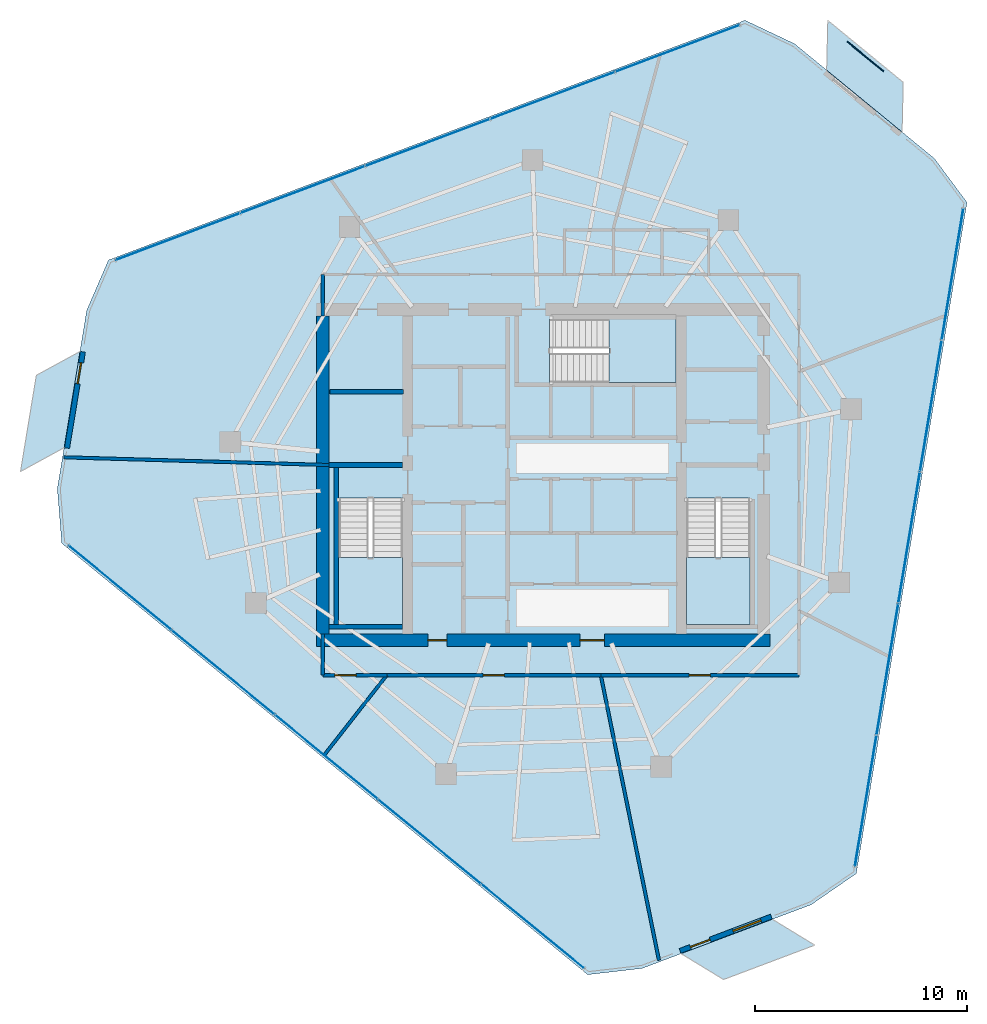
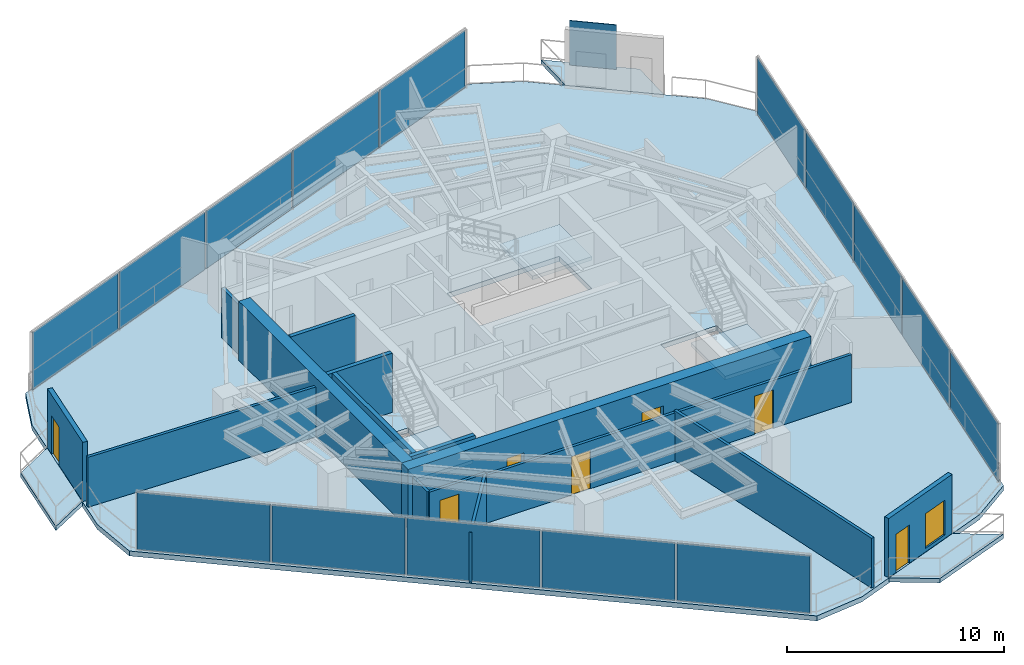
# One storey, part 14 of 19: 16 plates, 16 walls, 7 doors, 7 slabs, 1 window, 8 openings, 6 elements without a shape of their own.
"""IFC4 building model written with IfcOpenShell, lengths in metres."""

from ifc_helpers import new_model, si_unit, direction, frame, frame_2d, origin, origin_2d, place, context, subcontext, project, spatial, polyline, rectangle, outline, extrude, material, layer, layer_set, type_object, element, fill, aggregate, save


model = new_model("IFC4")

# Units and contexts
model_context = context("Model", 3, precision=1e-05, world=origin(), true_north=direction((0.0, 1.0)))
body_context = subcontext(model_context, "Body", "Model", "MODEL_VIEW")
ifc_project = project(units=[si_unit("LENGTHUNIT", "METRE"), si_unit("AREAUNIT", "SQUARE_METRE"), si_unit("VOLUMEUNIT", "CUBIC_METRE"), si_unit("PLANEANGLEUNIT", "RADIAN"), si_unit("MASSUNIT", "GRAM", prefix="KILO")], contexts=[model_context])

# Site, building, storey
site_placement = place(None, origin())
site = spatial("IfcSite", under=ifc_project, at=site_placement, CompositionType="ELEMENT")
building_placement = place(site_placement, origin())
building = spatial("IfcBuilding", under=site, at=building_placement, Name="Qarnah Convention Tower", CompositionType="ELEMENT")
storey_placement = place(building_placement, frame((0.0, 0.0, 143.699951171875)))
storey = spatial("IfcBuildingStorey", under=building, at=storey_placement, Name="L38", CompositionType="ELEMENT", Elevation=143.699951171875)

# Curtain wall, plates
ifc_material_1 = material(Name="Tempered Low-E dark glass", Category="glass")
ifc_layer_1 = layer(ifc_material_1, 0.172119140625)
ifc_layer_set_1 = layer_set([ifc_layer_1], Name="Tempered Low-E dark glass")
curtain_wall_type = type_object("IfcCurtainWallType", Name="CWS-03", PredefinedType="NOTDEFINED", material=ifc_layer_set_1)
curtain_wall_1_placement = place(storey_placement, origin())
curtain_wall_1 = element("IfcCurtainWall", 1, at=curtain_wall_1_placement, inside=storey, type_object=curtain_wall_type, Name="L38 unitised curtain wall CW-L38-F1", PredefinedType="NOTDEFINED")
ifc_layer_2 = layer(ifc_material_1, 0.031982421875)
ifc_layer_set_2 = layer_set([ifc_layer_2], Name="Tempered Low-E dark glass")
plate_type_1 = type_object("IfcPlateType", Name="PNL-T3", PredefinedType="CURTAIN_PANEL", material=ifc_layer_set_2)
plate_1_placement = place(storey_placement, frame((19.958984375, 37.630615234375, 0.0400390625), z_axis=(0.0, 0.0, 1.0), x_axis=(0.935807265092, 0.352512074404, 0.0)))
plate_1 = element("IfcPlate", 2, at=plate_1_placement, type_object=plate_type_1, Name="CW-L38-F1 curtain panel 1.1", PredefinedType="CURTAIN_PANEL", context=body_context, shape_type="SweptSolid", body=[
    extrude(rectangle(XDim=6.216064453125, YDim=0.031982421875, at=origin_2d()), origin(), (0.0, 0.0, 1.0), 3.239990234375),
])
plate_2_placement = place(storey_placement, frame((25.8505859375, 39.85009765625, 0.0400390625), z_axis=(0.0, 0.0, 1.0), x_axis=(0.935807265092, 0.352512074404, 0.0)))
plate_2 = element("IfcPlate", 3, at=plate_2_placement, type_object=plate_type_1, Name="CW-L38-F1 curtain panel 2.1", PredefinedType="CURTAIN_PANEL", context=body_context, shape_type="SweptSolid", body=[
    extrude(rectangle(XDim=6.216064453125, YDim=0.031982421875, at=origin_2d()), origin(), (0.0, 0.0, 1.0), 3.239990234375),
])
plate_3_placement = place(storey_placement, frame((31.742431640625, 42.069580078125, 0.0400390625), z_axis=(0.0, 0.0, 1.0), x_axis=(0.935807265092, 0.352512074404, 0.0)))
plate_3 = element("IfcPlate", 4, at=plate_3_placement, type_object=plate_type_1, Name="CW-L38-F1 curtain panel 3.1", PredefinedType="CURTAIN_PANEL", context=body_context, shape_type="SweptSolid", body=[
    extrude(rectangle(XDim=6.216064453125, YDim=0.031982421875, at=origin_2d()), origin(), (0.0, 0.0, 1.0), 3.239990234375),
])
plate_4_placement = place(storey_placement, frame((37.63427734375, 44.288818359375, 0.0400390625), z_axis=(0.0, 0.0, 1.0), x_axis=(0.935807265092, 0.352512074404, 0.0)))
plate_4 = element("IfcPlate", 5, at=plate_4_placement, type_object=plate_type_1, Name="CW-L38-F1 curtain panel 4.1", PredefinedType="CURTAIN_PANEL", context=body_context, shape_type="SweptSolid", body=[
    extrude(rectangle(XDim=6.216064453125, YDim=0.031982421875, at=origin_2d()), origin(), (0.0, 0.0, 1.0), 3.239990234375),
])
plate_5_placement = place(storey_placement, frame((43.526123046875, 46.50830078125, 0.0400390625), z_axis=(0.0, 0.0, 1.0), x_axis=(0.935807265092, 0.352512074404, 0.0)))
plate_5 = element("IfcPlate", 6, at=plate_5_placement, type_object=plate_type_1, Name="CW-L38-F1 curtain panel 5.1", PredefinedType="CURTAIN_PANEL", context=body_context, shape_type="SweptSolid", body=[
    extrude(rectangle(XDim=6.216064453125, YDim=0.031982421875, at=origin_2d()), origin(), (0.0, 0.0, 1.0), 3.239990234375),
])
aggregate(curtain_wall_1, [plate_1, plate_2, plate_3, plate_4, plate_5])

curtain_wall_2_placement = place(storey_placement, origin())
curtain_wall_2 = element("IfcCurtainWall", 7, at=curtain_wall_2_placement, inside=storey, type_object=curtain_wall_type, Name="L38 unitised curtain wall CW-L38-F2", PredefinedType="NOTDEFINED")
plate_6_placement = place(storey_placement, frame((36.701171875, 5.103515625, 0.0400390625), z_axis=(0.0, 0.0, 1.0), x_axis=(-0.773174020176, 0.634193925014, 0.0)))
plate_6 = element("IfcPlate", 8, at=plate_6_placement, type_object=plate_type_1, Name="CW-L38-F2 curtain panel 1.1", PredefinedType="CURTAIN_PANEL", context=body_context, shape_type="SweptSolid", body=[
    extrude(rectangle(XDim=6.2158203125, YDim=0.031982421875, at=origin_2d()), origin(), (0.0, 0.0, 1.0), 3.239990234375),
])
plate_7_placement = place(storey_placement, frame((31.833251953125, 9.09619140625, 0.0400390625), z_axis=(0.0, 0.0, 1.0), x_axis=(-0.773174020176, 0.634193925014, 0.0)))
plate_7 = element("IfcPlate", 9, at=plate_7_placement, type_object=plate_type_1, Name="CW-L38-F2 curtain panel 2.1", PredefinedType="CURTAIN_PANEL", context=body_context, shape_type="SweptSolid", body=[
    extrude(rectangle(XDim=6.2158203125, YDim=0.031982421875, at=origin_2d()), origin(), (0.0, 0.0, 1.0), 3.239990234375),
])
plate_8_placement = place(storey_placement, frame((26.965576171875, 13.089111328125, 0.0400390625), z_axis=(0.0, 0.0, 1.0), x_axis=(-0.773174020176, 0.634193925014, 0.0)))
plate_8 = element("IfcPlate", 10, at=plate_8_placement, type_object=plate_type_1, Name="CW-L38-F2 curtain panel 3.1", PredefinedType="CURTAIN_PANEL", context=body_context, shape_type="SweptSolid", body=[
    extrude(rectangle(XDim=6.2158203125, YDim=0.031982421875, at=origin_2d()), origin(), (0.0, 0.0, 1.0), 3.239990234375),
])
plate_9_placement = place(storey_placement, frame((22.09765625, 17.081787109375, 0.0400390625), z_axis=(0.0, 0.0, 1.0), x_axis=(-0.773174020176, 0.634193925014, 0.0)))
plate_9 = element("IfcPlate", 11, at=plate_9_placement, type_object=plate_type_1, Name="CW-L38-F2 curtain panel 4.1", PredefinedType="CURTAIN_PANEL", context=body_context, shape_type="SweptSolid", body=[
    extrude(rectangle(XDim=6.2158203125, YDim=0.031982421875, at=origin_2d()), origin(), (0.0, 0.0, 1.0), 3.239990234375),
])
plate_10_placement = place(storey_placement, frame((17.22998046875, 21.07470703125, 0.0400390625), z_axis=(0.0, 0.0, 1.0), x_axis=(-0.773174020176, 0.634193925014, 0.0)))
plate_10 = element("IfcPlate", 12, at=plate_10_placement, type_object=plate_type_1, Name="CW-L38-F2 curtain panel 5.1", PredefinedType="CURTAIN_PANEL", context=body_context, shape_type="SweptSolid", body=[
    extrude(rectangle(XDim=6.2158203125, YDim=0.031982421875, at=origin_2d()), origin(), (0.0, 0.0, 1.0), 3.239990234375),
])
aggregate(curtain_wall_2, [plate_6, plate_7, plate_8, plate_9, plate_10])

curtain_wall_3_placement = place(storey_placement, origin())
curtain_wall_3 = element("IfcCurtainWall", 13, at=curtain_wall_3_placement, inside=storey, type_object=curtain_wall_type, Name="L38 unitised curtain wall CW-L38-F3", PredefinedType="NOTDEFINED")
plate_11_placement = place(storey_placement, frame((56.5, 35.8662109375, 0.0400390625), z_axis=(0.0, 0.0, 1.0), x_axis=(-0.162652354026, -0.986683440486, 0.0)))
plate_11 = element("IfcPlate", 14, at=plate_11_placement, type_object=plate_type_1, Name="CW-L38-F3 curtain panel 1.1", PredefinedType="CURTAIN_PANEL", context=body_context, shape_type="SweptSolid", body=[
    extrude(rectangle(XDim=6.215576171875, YDim=0.031982421875, at=origin_2d()), origin(), (0.0, 0.0, 1.0), 3.239990234375),
])
plate_12_placement = place(storey_placement, frame((55.47607421875, 29.654296875, 0.0400390625), z_axis=(0.0, 0.0, 1.0), x_axis=(-0.162652354026, -0.986683440486, 0.0)))
plate_12 = element("IfcPlate", 15, at=plate_12_placement, type_object=plate_type_1, Name="CW-L38-F3 curtain panel 2.1", PredefinedType="CURTAIN_PANEL", context=body_context, shape_type="SweptSolid", body=[
    extrude(rectangle(XDim=6.215576171875, YDim=0.031982421875, at=origin_2d()), origin(), (0.0, 0.0, 1.0), 3.239990234375),
])
plate_13_placement = place(storey_placement, frame((54.451904296875, 23.4423828125, 0.0400390625), z_axis=(0.0, 0.0, 1.0), x_axis=(-0.162652354026, -0.986683440486, 0.0)))
plate_13 = element("IfcPlate", 16, at=plate_13_placement, type_object=plate_type_1, Name="CW-L38-F3 curtain panel 3.1", PredefinedType="CURTAIN_PANEL", context=body_context, shape_type="SweptSolid", body=[
    extrude(rectangle(XDim=6.215576171875, YDim=0.031982421875, at=origin_2d()), origin(), (0.0, 0.0, 1.0), 3.239990234375),
])
plate_14_placement = place(storey_placement, frame((53.427978515625, 17.230712890625, 0.0400390625), z_axis=(0.0, 0.0, 1.0), x_axis=(-0.162652354026, -0.986683440486, 0.0)))
plate_14 = element("IfcPlate", 17, at=plate_14_placement, type_object=plate_type_1, Name="CW-L38-F3 curtain panel 4.1", PredefinedType="CURTAIN_PANEL", context=body_context, shape_type="SweptSolid", body=[
    extrude(rectangle(XDim=6.215576171875, YDim=0.031982421875, at=origin_2d()), origin(), (0.0, 0.0, 1.0), 3.239990234375),
])
plate_15_placement = place(storey_placement, frame((52.404052734375, 11.018798828125, 0.0400390625), z_axis=(0.0, 0.0, 1.0), x_axis=(-0.162652354026, -0.986683440486, 0.0)))
plate_15 = element("IfcPlate", 18, at=plate_15_placement, type_object=plate_type_1, Name="CW-L38-F3 curtain panel 5.1", PredefinedType="CURTAIN_PANEL", context=body_context, shape_type="SweptSolid", body=[
    extrude(rectangle(XDim=6.215576171875, YDim=0.031982421875, at=origin_2d()), origin(), (0.0, 0.0, 1.0), 3.239990234375),
])
aggregate(curtain_wall_3, [plate_11, plate_12, plate_13, plate_14, plate_15])

# Plate
ifc_material_2 = material(Name="Black anodised aluminium", Category="aluminium")
ifc_layer_3 = layer(ifc_material_2, 0.044921875)
ifc_layer_set_3 = layer_set([ifc_layer_3], Name="Black anodised aluminium")
plate_type_2 = type_object("IfcPlateType", Name="SCR-BAL-18", PredefinedType="USERDEFINED", material=ifc_layer_set_3)
plate_16_placement = place(storey_placement, frame((52.387939453125, 46.12890625, 0.0), z_axis=(0.0, 0.0, 1.0), x_axis=(0.773045883362, -0.634350110126, 0.0)))
element("IfcPlate", 19, at=plate_16_placement, inside=storey, type_object=plate_type_2, Name="L38 perforated desert solar screen BAL-L38-C1", ObjectType="SCREEN", PredefinedType="USERDEFINED", context=body_context, shape_type="SweptSolid", body=[
    extrude(rectangle(XDim=2.199951171875, YDim=0.044921875, at=origin_2d()), origin(), (0.0, 0.0, 1.0), 2.5),
])

# Slabs
ifc_material_3 = material(Name="Concrete C45/55", Category="concrete")
ifc_layer_4 = layer(ifc_material_3, 0.239990234375)
ifc_layer_set_4 = layer_set([ifc_layer_4], Name="Concrete C45/55")
slab_type_1 = type_object("IfcSlabType", Name="SLB-BAL-240", PredefinedType="USERDEFINED", material=ifc_layer_set_4)
slab_1_placement = place(storey_placement, frame((0.0, 0.0, -0.239990234375)))
element("IfcSlab", 20, at=slab_1_placement, inside=storey, type_object=slab_type_1, Name="L38 cantilevered balcony slab BAL-L38-C1", ObjectType="BALCONY", PredefinedType="USERDEFINED", context=body_context, shape_type="SweptSolid", body=[
    extrude(outline(polyline([(50.615966796875, 47.827880859375), (54.172119140625, 44.909912109375), (54.116943359375, 42.56494140625), (50.56005859375, 45.48291015625), (50.615966796875, 47.827880859375)])), origin(), (0.0, 0.0, 1.0), 0.239990234375),
])
slab_2_placement = place(storey_placement, frame((0.0, 0.0, -0.239990234375)))
element("IfcSlab", 21, at=slab_2_placement, inside=storey, type_object=slab_type_1, Name="L38 cantilevered balcony slab BAL-L38-C2", ObjectType="BALCONY", PredefinedType="USERDEFINED", context=body_context, shape_type="SweptSolid", body=[
    extrude(outline(polyline([(12.5419921875, 26.553955078125), (13.2900390625, 31.093017578125), (15.34912109375, 32.217041015625), (14.60107421875, 27.678955078125), (12.5419921875, 26.553955078125)])), origin(), (0.0, 0.0, 1.0), 0.239990234375),
])
slab_3_placement = place(storey_placement, frame((0.0, 0.0, -0.239990234375)))
element("IfcSlab", 22, at=slab_3_placement, inside=storey, type_object=slab_type_1, Name="L38 cantilevered balcony slab BAL-L38-C3", ObjectType="BALCONY", PredefinedType="USERDEFINED", context=body_context, shape_type="SweptSolid", body=[
    extrude(outline(polyline([(50.001953125, 4.218017578125), (45.697998046875, 2.596923828125), (43.693115234375, 3.818115234375), (47.9990234375, 5.43896484375), (50.001953125, 4.218017578125)])), origin(), (0.0, 0.0, 1.0), 0.239990234375),
])

# Stair, slab
ifc_material_4 = material(Name="Concrete C50/60", Category="concrete")
stair_type = type_object("IfcStairType", Name="STR-OFF", PredefinedType="HALF_TURN_STAIR", material=ifc_material_4)
stair_1_placement = place(storey_placement, origin())
stair_1 = element("IfcStair", 23, at=stair_1_placement, inside=storey, type_object=stair_type, Name="L38 Core exit stair ST-1", PredefinedType="HALF_TURN_STAIR")
ifc_layer_5 = layer(ifc_material_4, 0.199951171875)
ifc_layer_set_5 = layer_set([ifc_layer_5], Name="Concrete C50/60")
slab_type_2 = type_object("IfcSlabType", Name="SLB-LANDING-200", PredefinedType="LANDING", material=ifc_layer_set_5)
slab_4_placement = place(storey_placement, frame((0.0, 0.0, 1.60009765625)))
slab_4 = element("IfcSlab", 24, at=slab_4_placement, type_object=slab_type_2, Name="ST-1 landing 1", PredefinedType="LANDING", context=body_context, shape_type="SweptSolid", body=[
    extrude(outline(polyline([(27.550048828125, 22.5), (27.550048828125, 19.35009765625), (30.550048828125, 19.35009765625), (30.550048828125, 22.5), (27.550048828125, 22.5)])), origin(), (0.0, 0.0, 1.0), 0.199951171875),
])
aggregate(stair_1, [slab_4])

stair_2_placement = place(storey_placement, origin())
stair_2 = element("IfcStair", 25, at=stair_2_placement, inside=storey, type_object=stair_type, Name="L38 Core exit stair ST-2", PredefinedType="HALF_TURN_STAIR")
slab_5_placement = place(storey_placement, frame((0.0, 0.0, 1.60009765625)))
slab_5 = element("IfcSlab", 26, at=slab_5_placement, type_object=slab_type_2, Name="ST-2 landing 1", PredefinedType="LANDING", context=body_context, shape_type="SweptSolid", body=[
    extrude(outline(polyline([(43.949951171875, 22.5), (43.949951171875, 19.35009765625), (46.949951171875, 19.35009765625), (46.949951171875, 22.5), (43.949951171875, 22.5)])), origin(), (0.0, 0.0, 1.0), 0.199951171875),
])
aggregate(stair_2, [slab_5])

stair_3_placement = place(storey_placement, origin())
stair_3 = element("IfcStair", 27, at=stair_3_placement, inside=storey, type_object=stair_type, Name="L38 Core exit stair ST-3", PredefinedType="HALF_TURN_STAIR")
slab_6_placement = place(storey_placement, frame((0.0, 0.0, 1.60009765625)))
slab_6 = element("IfcSlab", 28, at=slab_6_placement, type_object=slab_type_2, Name="ST-3 landing 1", PredefinedType="LANDING", context=body_context, shape_type="SweptSolid", body=[
    extrude(outline(polyline([(40.300048828125, 30.75), (43.449951171875, 30.75), (43.449951171875, 33.75), (40.300048828125, 33.75), (40.300048828125, 30.75)])), origin(), (0.0, 0.0, 1.0), 0.199951171875),
])
aggregate(stair_3, [slab_6])

# Slab
ifc_layer_6 = layer(ifc_material_3, 0.280029296875)
ifc_layer_set_6 = layer_set([ifc_layer_6], Name="Concrete C45/55")
slab_type_3 = type_object("IfcSlabType", Name="SLB-TWR-280", PredefinedType="FLOOR", material=ifc_layer_set_6)
slab_7_placement = place(storey_placement, frame((0.0, 0.0, -0.280029296875)))
element("IfcSlab", 29, at=slab_7_placement, inside=storey, type_object=slab_type_3, Name="L38 structural floor slab", PredefinedType="FLOOR", context=body_context, shape_type="SweptSolid", body=[
    extrude(outline(polyline([(46.7099609375, 47.8359375), (16.68994140625, 36.528076171875), (15.6640625, 34.153076171875), (14.279052734375, 25.74609375), (14.488037109375, 23.16796875), (39.291015625, 2.823974609375), (41.860107421875, 3.123046875), (49.833984375, 6.1259765625), (51.9619140625, 7.596923828125), (57.178955078125, 39.248046875), (55.635986328125, 41.323974609375), (49.048095703125, 46.72802734375), (46.7099609375, 47.8359375)]), holes=[polyline([(27.550048828125, 25.300048828125), (27.550048828125, 19.35009765625), (30.550048828125, 19.35009765625), (30.550048828125, 25.300048828125), (27.550048828125, 25.300048828125)]), polyline([(43.949951171875, 25.300048828125), (43.949951171875, 19.35009765625), (46.949951171875, 19.35009765625), (46.949951171875, 25.300048828125), (43.949951171875, 25.300048828125)]), polyline([(37.5, 30.75), (43.449951171875, 30.75), (43.449951171875, 33.75), (37.5, 33.75), (37.5, 30.75)])]), origin(), (0.0, 0.0, 1.0), 0.280029296875),
])

# Wall, openings, doors
ifc_material_5 = material(Name="Concrete C60/75", Category="concrete")
ifc_layer_7 = layer(ifc_material_5, 0.60009765625)
ifc_layer_set_7 = layer_set([ifc_layer_7], Name="Concrete C60/75")
wall_type_1 = type_object("IfcWallType", Name="WL-CORE-600", PredefinedType="SHEAR", material=ifc_layer_set_7)
wall_1_placement = place(storey_placement, frame((26.5, 18.60009765625, 0.0), z_axis=(0.0, 0.0, 1.0), x_axis=(1.0, 0.0, 0.0)))
wall_1 = element("IfcWall", 30, at=wall_1_placement, inside=storey, type_object=wall_type_1, Name="L38 core south shear wall", PredefinedType="SHEAR", context=body_context, shape_type="SweptSolid", body=[
    extrude(rectangle(XDim=21.39990234375, YDim=0.60009765625, at=frame_2d((10.699951171875, 0.0))), origin(), (0.0, 0.0, 1.0), 3.320068359375),
])
opening_1_placement = place(wall_1_placement, frame((12.425048828125, 0.0, 0.0)))
opening_1 = element("IfcOpeningElement", 31, at=opening_1_placement, cuts=wall_1, Name="Opening D-3807", PredefinedType="OPENING", context=body_context, shape_type="SweptSolid", body=[
    extrude(rectangle(XDim=1.14990234375, YDim=2.14990234375, at=frame_2d((0.574951171875, 1.074951171875))), frame((0.0, 0.31005859375, 0.0), z_axis=(0.0, -1.0, 0.0), x_axis=(1.0, 0.0, 0.0)), (0.0, 0.0, 1.0), 0.6201171875),
])
opening_2_placement = place(wall_1_placement, frame((5.25, 0.0, 0.0)))
opening_2 = element("IfcOpeningElement", 32, at=opening_2_placement, cuts=wall_1, Name="Opening D-3813", PredefinedType="OPENING", context=body_context, shape_type="SweptSolid", body=[
    extrude(rectangle(XDim=0.89990234375, YDim=2.10009765625, at=frame_2d((0.449951171875, 1.050048828125))), frame((0.0, 0.31005859375, 0.0), z_axis=(0.0, -1.0, 0.0), x_axis=(1.0, 0.0, 0.0)), (0.0, 0.0, 1.0), 0.6201171875),
])
ifc_material_6 = material(Name="Structural steel S355JR", Category="steel")
door_type_1 = type_object("IfcDoorType", Name="DT-LOBBY-1150", OperationType="NOTDEFINED", PredefinedType="DOOR", material=ifc_material_6)
door_1_placement = place(opening_1_placement, origin())
door_1 = element("IfcDoor", 33, at=door_1_placement, inside=storey, type_object=door_type_1, Name="Door D-3807", OperationType="SINGLE_SWING_RIGHT", OverallHeight=2.14990234375, OverallWidth=1.14990234375, PredefinedType="DOOR", context=body_context, shape_type="SweptSolid", body=[
    extrude(rectangle(XDim=1.14990234375, YDim=2.14990234375, at=frame_2d((0.574951171875, 1.074951171875))), frame((0.0, 0.02490234375, 0.0), z_axis=(0.0, -1.0, 0.0), x_axis=(1.0, 0.0, 0.0)), (0.0, 0.0, 1.0), 0.050048828125),
])
fill(opening_1, door_1)
door_type_2 = type_object("IfcDoorType", Name="DT-RISER-900", OperationType="NOTDEFINED", PredefinedType="DOOR", material=ifc_material_6)
door_2_placement = place(opening_2_placement, origin())
door_2 = element("IfcDoor", 34, at=door_2_placement, inside=storey, type_object=door_type_2, Name="Door D-3813", OperationType="SINGLE_SWING_RIGHT", OverallHeight=2.10009765625, OverallWidth=0.89990234375, PredefinedType="DOOR", context=body_context, shape_type="SweptSolid", body=[
    extrude(rectangle(XDim=0.89990234375, YDim=2.10009765625, at=frame_2d((0.449951171875, 1.050048828125))), frame((0.0, 0.02490234375, 0.0), z_axis=(0.0, -1.0, 0.0), x_axis=(1.0, 0.0, 0.0)), (0.0, 0.0, 1.0), 0.050048828125),
])
fill(opening_2, door_2)

# Walls
wall_2_placement = place(storey_placement, frame((26.800048828125, 18.89990234375, 0.0), z_axis=(0.0, 0.0, 1.0), x_axis=(0.0, 1.0, 0.0)))
element("IfcWall", 35, at=wall_2_placement, inside=storey, type_object=wall_type_1, Name="L38 core west shear wall", PredefinedType="SHEAR", context=body_context, shape_type="SweptSolid", body=[
    extrude(rectangle(XDim=15.0, YDim=0.60009765625, at=frame_2d((7.5, 0.0))), origin(), (0.0, 0.0, 1.0), 3.320068359375),
])
ifc_layer_8 = layer(ifc_material_3, 0.199951171875)
ifc_layer_set_8 = layer_set([ifc_layer_8], Name="Concrete C45/55")
wall_type_2 = type_object("IfcWallType", Name="WL-CORE-PART-200", PredefinedType="SOLIDWALL", material=ifc_layer_set_8)
wall_3_placement = place(storey_placement, frame((27.14990234375, 30.320068359375, 0.0), z_axis=(0.0, 0.0, 1.0), x_axis=(1.0, 0.0, 0.0)))
element("IfcWall", 36, at=wall_3_placement, inside=storey, type_object=wall_type_2, Name="L38 interior wall IW-L38-ELRN", PredefinedType="SOLIDWALL", context=body_context, shape_type="SweptSolid", body=[
    extrude(rectangle(XDim=3.4501953125, YDim=0.199951171875, at=frame_2d((1.72509765625, 0.0))), origin(), (0.0, 0.0, 1.0), 3.320068359375),
])
ifc_layer_9 = layer(ifc_material_5, 0.219970703125)
ifc_layer_set_9 = layer_set([ifc_layer_9], Name="Concrete C60/75")
wall_type_3 = type_object("IfcWallType", Name="WL-CORE-STAIR-220", PredefinedType="SHEAR", material=ifc_layer_set_9)
wall_4_placement = place(storey_placement, frame((27.10009765625, 26.860107421875, 0.0), z_axis=(0.0, 0.0, 1.0), x_axis=(1.0, 0.0, 0.0)))
element("IfcWall", 37, at=wall_4_placement, inside=storey, type_object=wall_type_3, Name="L38 stair shaft shear wall SW-L38-ST1N", PredefinedType="SHEAR", context=body_context, shape_type="SweptSolid", body=[
    extrude(rectangle(XDim=3.449951171875, YDim=0.219970703125, at=frame_2d((1.72509765625, 0.0))), origin(), (0.0, 0.0, 1.0), 3.320068359375),
])
wall_5_placement = place(storey_placement, frame((27.43994140625, 19.35009765625, 0.0), z_axis=(0.0, 0.0, 1.0), x_axis=(0.0, 1.0, 0.0)))
element("IfcWall", 38, at=wall_5_placement, inside=storey, type_object=wall_type_3, Name="L38 stair shaft shear wall SW-L38-ST1W", PredefinedType="SHEAR", context=body_context, shape_type="SweptSolid", body=[
    extrude(rectangle(XDim=7.39990234375, YDim=0.219970703125, at=frame_2d((3.699951171875, 0.0))), origin(), (0.0, 0.0, 1.0), 3.320068359375),
])
wall_6_placement = place(storey_placement, frame((27.10009765625, 19.239990234375, 0.0), z_axis=(0.0, 0.0, 1.0), x_axis=(1.0, 0.0, 0.0)))
element("IfcWall", 39, at=wall_6_placement, inside=storey, type_object=wall_type_3, Name="L38 stair shaft shear wall SW-L38-ST1S", PredefinedType="SHEAR", context=body_context, shape_type="SweptSolid", body=[
    extrude(rectangle(XDim=3.449951171875, YDim=0.219970703125, at=frame_2d((1.72509765625, 0.0))), origin(), (0.0, 0.0, 1.0), 3.320068359375),
])

# Wall, opening, door
ifc_material_7 = material(Name="Precast concrete C45/55", Category="concrete")
ifc_layer_10 = layer(ifc_material_7, 0.239990234375)
ifc_layer_set_10 = layer_set([ifc_layer_10], Name="Precast concrete C45/55")
wall_type_4 = type_object("IfcWallType", Name="WL-EXT-BAL-240", PredefinedType="SOLIDWALL", material=ifc_layer_set_10)
wall_7_placement = place(storey_placement, frame((14.736083984375, 27.657958984375, 0.0), z_axis=(0.0, 0.0, 1.0), x_axis=(0.162591044183, 0.986693545307, 0.0)))
wall_7 = element("IfcWall", 40, at=wall_7_placement, inside=storey, type_object=wall_type_4, Name="L38 loggia threshold wall BAL-L38-C2", PredefinedType="SOLIDWALL", context=body_context, shape_type="SweptSolid", body=[
    extrude(rectangle(XDim=4.599365234375, YDim=0.239990234375, at=frame_2d((2.2998046875, 0.0))), origin(), (0.0, 0.0, 1.0), 3.320068359375),
])
opening_3_placement = place(wall_7_placement, frame((3.0791015625, 0.0, 0.0)))
opening_3 = element("IfcOpeningElement", 41, at=opening_3_placement, cuts=wall_7, Name="Opening BD-3802", PredefinedType="OPENING", context=body_context, shape_type="SweptSolid", body=[
    extrude(rectangle(XDim=1.0, YDim=2.14990234375, at=frame_2d((0.5, 1.074951171875))), frame((0.0, 0.1298828125, 0.0), z_axis=(0.0, -1.0, 0.0), x_axis=(1.0, 0.0, 0.0)), (0.0, 0.0, 1.0), 0.260009765625),
])
door_type_3 = type_object("IfcDoorType", Name="DT-BAL-1000", OperationType="NOTDEFINED", PredefinedType="DOOR", material=ifc_material_2)
door_3_placement = place(opening_3_placement, origin())
door_3 = element("IfcDoor", 42, at=door_3_placement, inside=storey, type_object=door_type_3, Name="L38 balcony terrace door BAL-L38-C2", OperationType="SINGLE_SWING_RIGHT", OverallHeight=2.14990234375, OverallWidth=1.0, PredefinedType="DOOR", context=body_context, shape_type="SweptSolid", body=[
    extrude(rectangle(XDim=1.0, YDim=2.14990234375, at=frame_2d((0.5, 1.074951171875))), frame((0.0, 0.02490234375, 0.0), z_axis=(0.0, -1.0, 0.0), x_axis=(1.0, 0.0, 0.0)), (0.0, 0.0, 1.0), 0.050048828125),
])
fill(opening_3, door_3)

# Wall, openings, door, window
wall_8_placement = place(storey_placement, frame((47.949951171875, 5.56591796875, 0.0), z_axis=(0.0, 0.0, 1.0), x_axis=(-0.935863773767, -0.352362025409, 0.0)))
wall_8 = element("IfcWall", 43, at=wall_8_placement, inside=storey, type_object=wall_type_4, Name="L38 loggia threshold wall BAL-L38-C3", PredefinedType="SOLIDWALL", context=body_context, shape_type="SweptSolid", body=[
    extrude(rectangle(XDim=4.599853515625, YDim=0.239990234375, at=frame_2d((2.2998046875, 0.0))), origin(), (0.0, 0.0, 1.0), 3.320068359375),
])
opening_4_placement = place(wall_8_placement, frame((3.080078125, 0.0, 0.0)))
opening_4 = element("IfcOpeningElement", 44, at=opening_4_placement, cuts=wall_8, Name="Opening BD-3803", PredefinedType="OPENING", context=body_context, shape_type="SweptSolid", body=[
    extrude(rectangle(XDim=1.0, YDim=2.14990234375, at=frame_2d((0.5, 1.074951171875))), frame((0.0, 0.1298828125, 0.0), z_axis=(0.0, -1.0, 0.0), x_axis=(1.0, 0.0, 0.0)), (0.0, 0.0, 1.0), 0.260009765625),
])
opening_5_placement = place(wall_8_placement, frame((0.52001953125, 0.0, 0.199951171875)))
opening_5 = element("IfcOpeningElement", 45, at=opening_5_placement, cuts=wall_8, Name="Opening WN4", PredefinedType="OPENING", context=body_context, shape_type="SweptSolid", body=[
    extrude(rectangle(XDim=1.39990234375, YDim=1.949951171875, at=frame_2d((0.699951171875, 0.97509765625))), frame((0.0, 0.1298828125, 0.0), z_axis=(0.0, -1.0, 0.0), x_axis=(1.0, 0.0, 0.0)), (0.0, 0.0, 1.0), 0.260009765625),
])
door_4_placement = place(opening_4_placement, origin())
door_4 = element("IfcDoor", 46, at=door_4_placement, inside=storey, type_object=door_type_3, Name="L38 balcony terrace door BAL-L38-C3", OperationType="SINGLE_SWING_LEFT", OverallHeight=2.14990234375, OverallWidth=1.0, PredefinedType="DOOR", context=body_context, shape_type="SweptSolid", body=[
    extrude(rectangle(XDim=1.0, YDim=2.14990234375, at=frame_2d((0.5, 1.074951171875))), frame((0.0, 0.02490234375, 0.0), z_axis=(0.0, -1.0, 0.0), x_axis=(1.0, 0.0, 0.0)), (0.0, 0.0, 1.0), 0.050048828125),
])
fill(opening_4, door_4)
window_type = type_object("IfcWindowType", Name="WT-BAL-1400X2000", PartitioningType="SINGLE_PANEL", PredefinedType="WINDOW", material=ifc_material_1)
window_placement = place(opening_5_placement, origin())
window = element("IfcWindow", 47, at=window_placement, inside=storey, type_object=window_type, Name="Window BW-BAL-L38-C3", OverallHeight=1.949951171875, OverallWidth=1.39990234375, PartitioningType="SINGLE_PANEL", PredefinedType="WINDOW", context=body_context, shape_type="SweptSolid", body=[
    extrude(rectangle(XDim=1.39990234375, YDim=1.949951171875, at=frame_2d((0.699951171875, 0.97509765625))), frame((0.0, 0.030029296875, 0.0), z_axis=(0.0, -1.0, 0.0), x_axis=(1.0, 0.0, 0.0)), (0.0, 0.0, 1.0), 0.06005859375),
])
fill(opening_5, window)

# Walls
ifc_material_8 = material(Name="Gypsum partition board")
ifc_layer_11 = layer(ifc_material_8, 0.14990234375)
ifc_layer_set_11 = layer_set([ifc_layer_11], Name="Gypsum partition board")
wall_type_5 = type_object("IfcWallType", Name="WL-SUITE-150", PredefinedType="PARTITIONING", material=ifc_layer_set_11)
wall_9_placement = place(storey_placement, frame((14.60302734375, 27.22509765625, 0.0), z_axis=(0.0, 0.0, 1.0), x_axis=(0.999573775571, -0.029193615583, 0.0)))
element("IfcWall", 48, at=wall_9_placement, inside=storey, type_object=wall_type_5, Name="L38 interior wall IW-L38-R-19", PredefinedType="PARTITIONING", context=body_context, shape_type="SweptSolid", body=[
    extrude(rectangle(XDim=12.50244140625, YDim=0.14990234375, at=frame_2d((6.251220703125, 0.0))), origin(), (0.0, 0.0, 1.0), 2.804931640625),
])
wall_10_placement = place(storey_placement, frame((26.800048828125, 33.89990234375, 0.0), z_axis=(0.0, 0.0, 1.0), x_axis=(0.0, 1.0, 0.0)))
element("IfcWall", 49, at=wall_10_placement, inside=storey, type_object=wall_type_5, Name="L38 interior wall IW-L38-R-20", PredefinedType="PARTITIONING", context=body_context, shape_type="SweptSolid", body=[
    extrude(rectangle(XDim=1.9501953125, YDim=0.14990234375, at=frame_2d((0.97509765625, 0.0))), origin(), (0.0, 0.0, 1.0), 2.804931640625),
])
wall_11_placement = place(storey_placement, frame((26.8349609375, 13.14404296875, 0.0), z_axis=(0.0, 0.0, 1.0), x_axis=(0.616743855437, 0.787163907189, 0.0)))
element("IfcWall", 50, at=wall_11_placement, inside=storey, type_object=wall_type_5, Name="L38 interior wall IW-L38-R-22", PredefinedType="PARTITIONING", context=body_context, shape_type="SweptSolid", body=[
    extrude(rectangle(XDim=4.8349609375, YDim=0.14990234375, at=frame_2d((2.41748046875, 0.0))), origin(), (0.0, 0.0, 1.0), 2.804931640625),
])

# Wall, opening, door
wall_12_placement = place(storey_placement, frame((29.81689453125, 16.949951171875, 0.0), z_axis=(0.0, 0.0, 1.0), x_axis=(-1.0, 0.0, 0.0)))
wall_12 = element("IfcWall", 51, at=wall_12_placement, inside=storey, type_object=wall_type_5, Name="L38 interior wall IW-L38-R-23", PredefinedType="PARTITIONING", context=body_context, shape_type="SweptSolid", body=[
    extrude(rectangle(XDim=3.016845703125, YDim=0.14990234375, at=frame_2d((1.50830078125, 0.0))), origin(), (0.0, 0.0, 1.0), 2.804931640625),
])
opening_6_placement = place(wall_12_placement, frame((1.447998046875, 0.0, 0.0)))
opening_6 = element("IfcOpeningElement", 52, at=opening_6_placement, cuts=wall_12, Name="Opening D-3824", PredefinedType="OPENING", context=body_context, shape_type="SweptSolid", body=[
    extrude(rectangle(XDim=1.0, YDim=2.14990234375, at=frame_2d((0.5, 1.074951171875))), frame((0.0, 0.0849609375, 0.0), z_axis=(0.0, -1.0, 0.0), x_axis=(1.0, 0.0, 0.0)), (0.0, 0.0, 1.0), 0.169921875),
])
ifc_material_9 = material(Name="Oak timber veneer", Category="wood")
door_type_4 = type_object("IfcDoorType", Name="DT-OFFICE-1000", OperationType="NOTDEFINED", PredefinedType="DOOR", material=ifc_material_9)
door_5_placement = place(opening_6_placement, origin())
door_5 = element("IfcDoor", 53, at=door_5_placement, inside=storey, type_object=door_type_4, Name="Door D-3824", OperationType="SINGLE_SWING_LEFT", OverallHeight=2.14990234375, OverallWidth=1.0, PredefinedType="DOOR", context=body_context, shape_type="SweptSolid", body=[
    extrude(rectangle(XDim=1.0, YDim=2.14990234375, at=frame_2d((0.5, 1.074951171875))), frame((0.0, 0.02490234375, 0.0), z_axis=(0.0, -1.0, 0.0), x_axis=(1.0, 0.0, 0.0)), (0.0, 0.0, 1.0), 0.050048828125),
])
fill(opening_6, door_5)

# Walls
wall_13_placement = place(storey_placement, frame((26.800048828125, 16.949951171875, 0.0), z_axis=(0.0, 0.0, 1.0), x_axis=(0.0, 1.0, 0.0)))
element("IfcWall", 54, at=wall_13_placement, inside=storey, type_object=wall_type_5, Name="L38 interior wall IW-L38-R-24", PredefinedType="PARTITIONING", context=body_context, shape_type="SweptSolid", body=[
    extrude(rectangle(XDim=1.949951171875, YDim=0.14990234375, at=frame_2d((0.97509765625, 0.0))), origin(), (0.0, 0.0, 1.0), 2.804931640625),
])
wall_14_placement = place(storey_placement, frame((42.652099609375, 3.506103515625, 0.0), z_axis=(0.0, 0.0, 1.0), x_axis=(-0.199858215049, 0.979824828159, 0.0)))
element("IfcWall", 55, at=wall_14_placement, inside=storey, type_object=wall_type_5, Name="L38 interior wall IW-L38-R-25", PredefinedType="PARTITIONING", context=body_context, shape_type="SweptSolid", body=[
    extrude(rectangle(XDim=13.720703125, YDim=0.14990234375, at=frame_2d((6.8603515625, 0.0))), origin(), (0.0, 0.0, 1.0), 2.804931640625),
])

# Wall, opening, door
wall_15_placement = place(storey_placement, frame((39.909912109375, 16.949951171875, 0.0), z_axis=(0.0, 0.0, 1.0), x_axis=(-1.0, 0.0, 0.0)))
wall_15 = element("IfcWall", 56, at=wall_15_placement, inside=storey, type_object=wall_type_5, Name="L38 interior wall IW-L38-R-26", PredefinedType="PARTITIONING", context=body_context, shape_type="SweptSolid", body=[
    extrude(rectangle(XDim=10.093017578125, YDim=0.14990234375, at=frame_2d((5.04638671875, 0.0))), origin(), (0.0, 0.0, 1.0), 2.68701171875),
])
opening_7_placement = place(wall_15_placement, frame((4.5458984375, 0.0, 0.0)))
opening_7 = element("IfcOpeningElement", 57, at=opening_7_placement, cuts=wall_15, Name="Opening D-3825", PredefinedType="OPENING", context=body_context, shape_type="SweptSolid", body=[
    extrude(rectangle(XDim=1.0, YDim=2.14990234375, at=frame_2d((0.5, 1.074951171875))), frame((0.0, 0.0849609375, 0.0), z_axis=(0.0, -1.0, 0.0), x_axis=(1.0, 0.0, 0.0)), (0.0, 0.0, 1.0), 0.169921875),
])
door_6_placement = place(opening_7_placement, origin())
door_6 = element("IfcDoor", 58, at=door_6_placement, inside=storey, type_object=door_type_4, Name="Door D-3825", OperationType="SINGLE_SWING_RIGHT", OverallHeight=2.14990234375, OverallWidth=1.0, PredefinedType="DOOR", context=body_context, shape_type="SweptSolid", body=[
    extrude(rectangle(XDim=1.0, YDim=2.14990234375, at=frame_2d((0.5, 1.074951171875))), frame((0.0, 0.02490234375, 0.0), z_axis=(0.0, -1.0, 0.0), x_axis=(1.0, 0.0, 0.0)), (0.0, 0.0, 1.0), 0.050048828125),
])
fill(opening_7, door_6)

wall_16_placement = place(storey_placement, frame((49.25, 16.949951171875, 0.0), z_axis=(0.0, 0.0, 1.0), x_axis=(-1.0, 0.0, 0.0)))
wall_16 = element("IfcWall", 59, at=wall_16_placement, inside=storey, type_object=wall_type_5, Name="L38 interior wall IW-L38-R-30", PredefinedType="PARTITIONING", context=body_context, shape_type="SweptSolid", body=[
    extrude(rectangle(XDim=9.340087890625, YDim=0.14990234375, at=frame_2d((4.669921875, 0.0))), origin(), (0.0, 0.0, 1.0), 2.68701171875),
])
opening_8_placement = place(wall_16_placement, frame((4.169921875, 0.0, 0.0)))
opening_8 = element("IfcOpeningElement", 60, at=opening_8_placement, cuts=wall_16, Name="Opening D-3826", PredefinedType="OPENING", context=body_context, shape_type="SweptSolid", body=[
    extrude(rectangle(XDim=1.0, YDim=2.14990234375, at=frame_2d((0.5, 1.074951171875))), frame((0.0, 0.0849609375, 0.0), z_axis=(0.0, -1.0, 0.0), x_axis=(1.0, 0.0, 0.0)), (0.0, 0.0, 1.0), 0.169921875),
])
door_7_placement = place(opening_8_placement, origin())
door_7 = element("IfcDoor", 61, at=door_7_placement, inside=storey, type_object=door_type_4, Name="Door D-3826", OperationType="SINGLE_SWING_LEFT", OverallHeight=2.14990234375, OverallWidth=1.0, PredefinedType="DOOR", context=body_context, shape_type="SweptSolid", body=[
    extrude(rectangle(XDim=1.0, YDim=2.14990234375, at=frame_2d((0.5, 1.074951171875))), frame((0.0, 0.02490234375, 0.0), z_axis=(0.0, -1.0, 0.0), x_axis=(1.0, 0.0, 0.0)), (0.0, 0.0, 1.0), 0.050048828125),
])
fill(opening_8, door_7)

save(model, "model.ifc")
